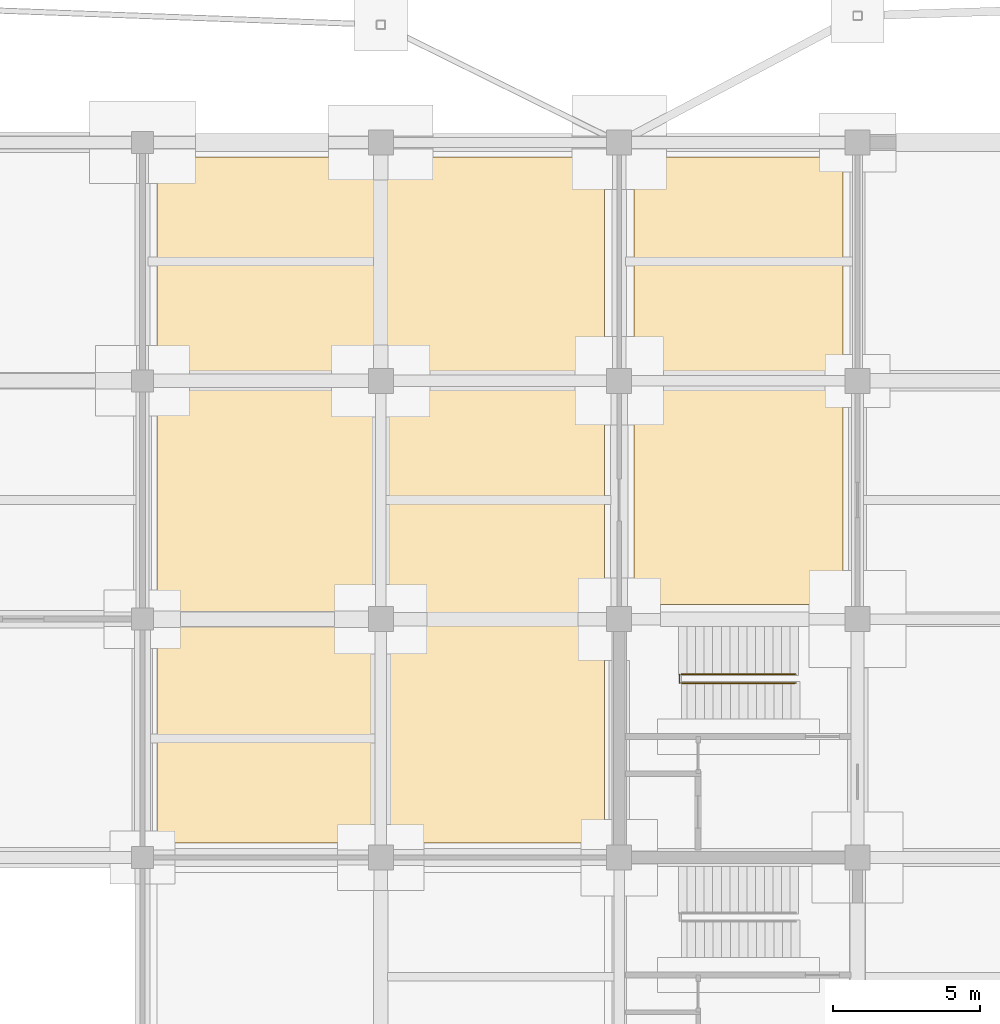
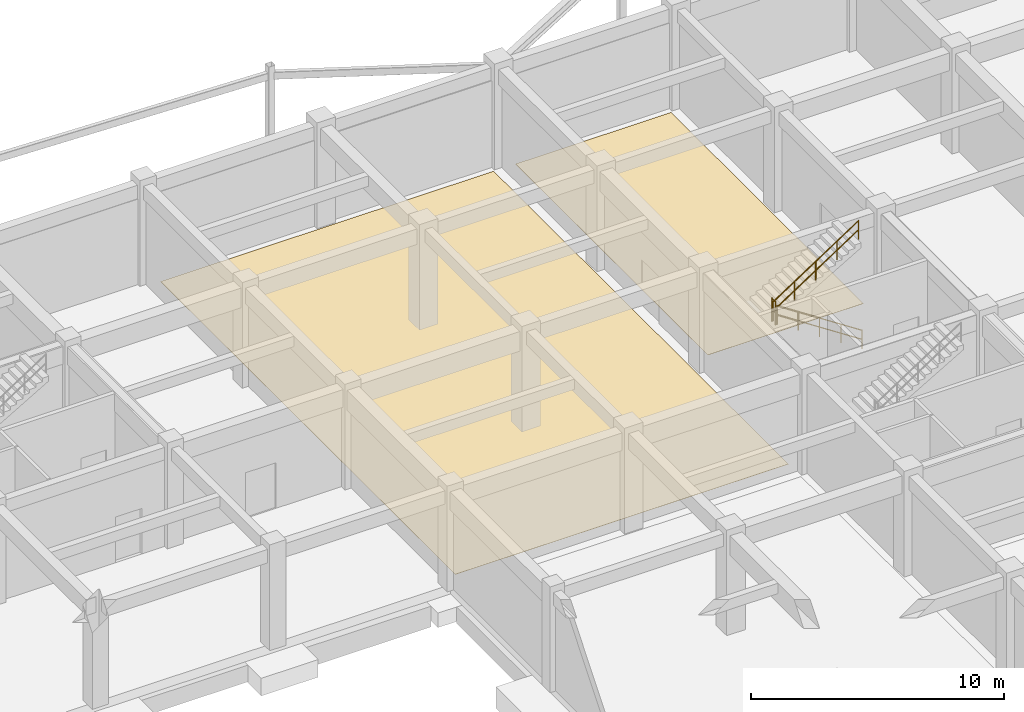
# One storey, part 66 of 67: 3 railings, 2 coverings.
"""IFC4 building model written with IfcOpenShell, lengths in metres."""

from ifc_helpers import new_model, si_unit, direction, frame, origin, origin_2d, place, context, subcontext, project, spatial, polyline, circle, outline, extrude, material, layer, layer_set, type_object, element, save


model = new_model("IFC4")

# Units and contexts
model_context = context("Model", 3, precision=1e-05, world=origin(), true_north=direction((0.0, 1.0)))
body_context = subcontext(model_context, "Body", "Model", "MODEL_VIEW")
ifc_project = project(units=[si_unit("LENGTHUNIT", "METRE"), si_unit("AREAUNIT", "SQUARE_METRE"), si_unit("VOLUMEUNIT", "CUBIC_METRE"), si_unit("PLANEANGLEUNIT", "RADIAN"), si_unit("MASSUNIT", "GRAM", prefix="KILO")], contexts=[model_context])

# Site, building, storey
site_placement = place(None, origin())
site = spatial("IfcSite", under=ifc_project, at=site_placement, CompositionType="ELEMENT")
building_placement = place(site_placement, origin())
building = spatial("IfcBuilding", under=site, at=building_placement, Name="Vaudrelin Polytechnic", CompositionType="ELEMENT")
storey_placement = place(building_placement, frame((0.0, 0.0, -5.10009765625)))
storey = spatial("IfcBuildingStorey", under=building, at=storey_placement, Name="B1", CompositionType="ELEMENT", Elevation=-5.10009765625)

# Coverings
ifc_material_1 = material(Name="Seamless chemical-resistant laboratory epoxy", Category="flooring")
ifc_layer = layer(ifc_material_1, 0.011962890625)
ifc_layer_set = layer_set([ifc_layer], Name="Seamless chemical-resistant laboratory epoxy")
covering_type = type_object("IfcCoveringType", Name="COV-FLR-EPX", PredefinedType="FLOORING", material=ifc_layer_set)
covering_1_placement = place(storey_placement, origin())
element("IfcCovering", 1, at=covering_1_placement, inside=storey, type_object=covering_type, Name="Chemical-resistant flooring B1-023", PredefinedType="FLOORING", context=body_context, shape_type="SweptSolid", body=[
    extrude(outline(polyline([(130.10009765625, 97.699951171875), (145.300048828125, 97.699951171875), (145.300048828125, 121.0), (130.10009765625, 121.0), (130.10009765625, 97.699951171875)])), origin(), (0.0, 0.0, 1.0), 0.01220703125),
])
covering_2_placement = place(storey_placement, origin())
element("IfcCovering", 2, at=covering_2_placement, inside=storey, type_object=covering_type, Name="Chemical-resistant flooring B1-024", PredefinedType="FLOORING", context=body_context, shape_type="SweptSolid", body=[
    extrude(outline(polyline([(146.300048828125, 105.800048828125), (153.39990234375, 105.800048828125), (153.39990234375, 121.0), (146.300048828125, 121.0), (146.300048828125, 105.800048828125)])), origin(), (0.0, 0.0, 1.0), 0.01220703125),
])

# Railings
ifc_material_2 = material(Name="Brushed stainless steel AISI 304", Category="steel")
railing_type_1 = type_object("IfcRailingType", Name="RAL-GR-INT", PredefinedType="GUARDRAIL", material=ifc_material_2)
railing_1_placement = place(storey_placement, frame((147.85009765625, 103.139892578125, 2.550048828125)))
element("IfcRailing", 3, at=railing_1_placement, inside=storey, type_object=railing_type_1, Name="ST-06-B1 landing well guardrail", PredefinedType="GUARDRAIL", context=body_context, shape_type="SweptSolid", body=[
    extrude(circle(Radius=0.02392578125, at=origin_2d()), frame((0.0, 0.023193359375, 1.09619140625), z_axis=(0.0, 1.0, 0.0), x_axis=(-1.0, 0.0, 0.0)), (0.0, 0.0, 1.0), 0.23388671875),
    extrude(circle(Radius=0.02392578125, at=origin_2d()), frame((0.0, 0.023193359375, 0.56005859375), z_axis=(0.0, 1.0, 0.0), x_axis=(-1.0, 0.0, 0.0)), (0.0, 0.0, 1.0), 0.23388671875),
    extrude(circle(Radius=0.02099609375, at=origin_2d()), origin(), (0.0, 0.0, 1.0), 1.1201171875),
    extrude(circle(Radius=0.02099609375, at=origin_2d()), frame((0.0, 0.280029296875, 0.0)), (0.0, 0.0, 1.0), 1.1201171875),
])
railing_type_2 = type_object("IfcRailingType", Name="RAL-HR-STR", PredefinedType="HANDRAIL", material=ifc_material_2)
railing_2_placement = place(storey_placement, frame((151.800048828125, 103.1298828125, 0.0)))
element("IfcRailing", 4, at=railing_2_placement, inside=storey, type_object=railing_type_2, Name="ST-06-B1 flight 1 handrail", PredefinedType="HANDRAIL", context=body_context, shape_type="SweptSolid", body=[
    extrude(circle(Radius=0.02392578125, at=origin_2d()), frame((-0.019287109375, 0.0, 0.908447265625), z_axis=(-0.836329188974, 0.0, 0.548227587476), x_axis=(0.0, -1.0, 0.0)), (0.0, 0.0, 1.0), 4.605224609375),
    extrude(circle(Radius=0.02392578125, at=origin_2d()), frame((-0.019287109375, 0.0, 0.47265625), z_axis=(-0.836329188974, 0.0, 0.548227587476), x_axis=(0.0, -1.0, 0.0)), (0.0, 0.0, 1.0), 4.605224609375),
    extrude(circle(Radius=0.02099609375, at=origin_2d()), origin(), (0.0, 0.0, 1.0), 0.919921875),
    extrude(circle(Radius=0.02099609375, at=origin_2d()), frame((-0.97265625, 0.0, 0.637451171875)), (0.0, 0.0, 1.0), 0.919921875),
    extrude(circle(Radius=0.02099609375, at=origin_2d()), frame((-1.945068359375, 0.0, 1.27490234375)), (0.0, 0.0, 1.0), 0.919921875),
    extrude(circle(Radius=0.02099609375, at=origin_2d()), frame((-2.91748046875, 0.0, 1.91259765625)), (0.0, 0.0, 1.0), 0.919921875),
    extrude(circle(Radius=0.02099609375, at=origin_2d()), frame((-3.89013671875, 0.0, 2.550048828125)), (0.0, 0.0, 1.0), 0.919921875),
])
railing_3_placement = place(storey_placement, frame((147.909912109375, 103.429931640625, 2.550048828125)))
element("IfcRailing", 5, at=railing_3_placement, inside=storey, type_object=railing_type_2, Name="ST-06-B1 flight 2 handrail", PredefinedType="HANDRAIL", context=body_context, shape_type="SweptSolid", body=[
    extrude(circle(Radius=0.02392578125, at=origin_2d()), frame((0.019287109375, 0.0, 0.908447265625), z_axis=(0.836329188974, 0.0, 0.548227587476), x_axis=(0.0, 1.0, 0.0)), (0.0, 0.0, 1.0), 4.605224609375),
    extrude(circle(Radius=0.02392578125, at=origin_2d()), frame((0.019287109375, 0.0, 0.47265625), z_axis=(0.836329188974, 0.0, 0.548227587476), x_axis=(0.0, 1.0, 0.0)), (0.0, 0.0, 1.0), 4.605224609375),
    extrude(circle(Radius=0.02099609375, at=origin_2d()), origin(), (0.0, 0.0, 1.0), 0.919921875),
    extrude(circle(Radius=0.02099609375, at=origin_2d()), frame((0.97265625, 0.0, 0.637451171875)), (0.0, 0.0, 1.0), 0.919921875),
    extrude(circle(Radius=0.02099609375, at=origin_2d()), frame((1.945068359375, 0.0, 1.27490234375)), (0.0, 0.0, 1.0), 0.919921875),
    extrude(circle(Radius=0.02099609375, at=origin_2d()), frame((2.91748046875, 0.0, 1.91259765625)), (0.0, 0.0, 1.0), 0.919921875),
    extrude(circle(Radius=0.02099609375, at=origin_2d()), frame((3.89013671875, 0.0, 2.550048828125)), (0.0, 0.0, 1.0), 0.919921875),
])

save(model, "model.ifc")
